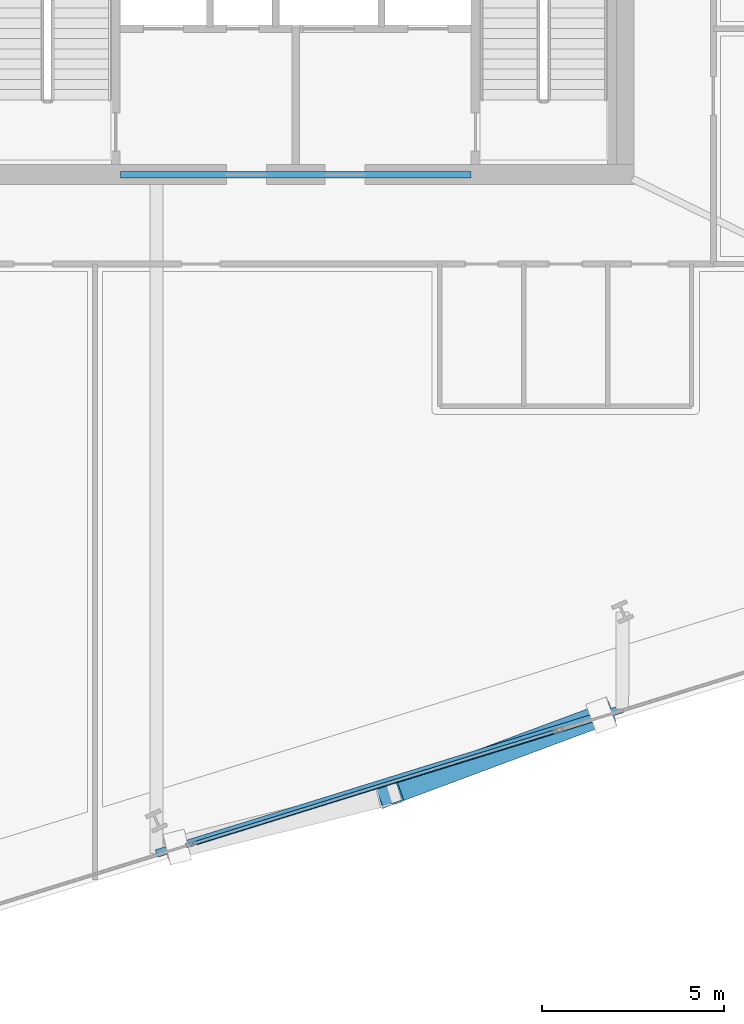
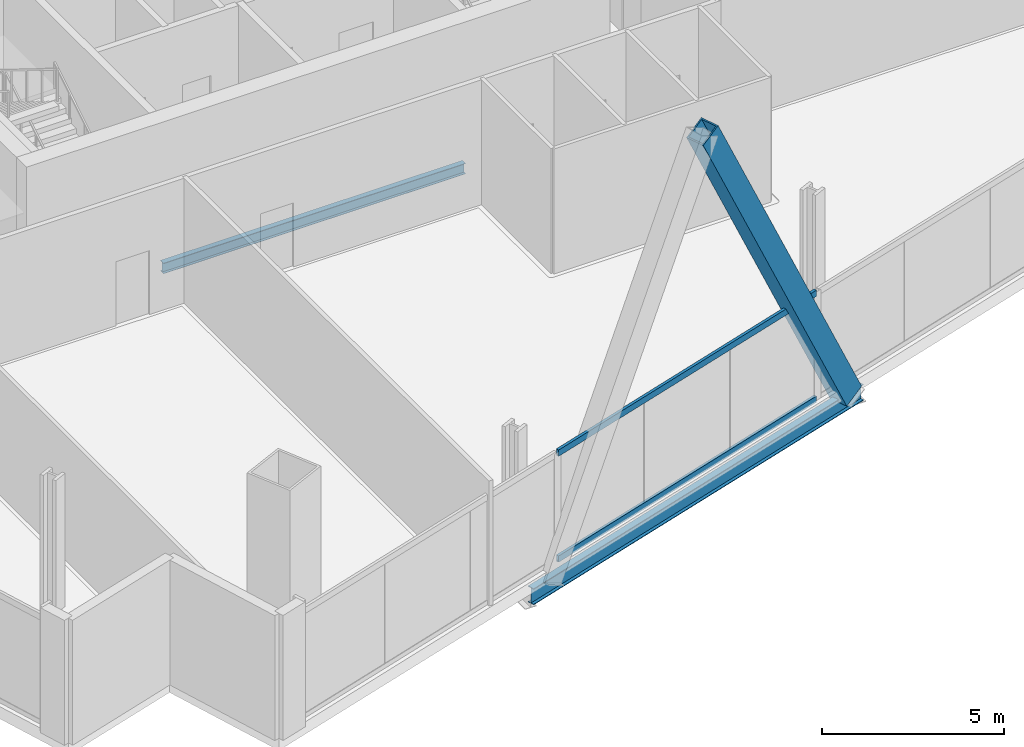
# One storey, part 5 of 26: 3 members, 2 beams, 1 element without a shape of its own.
"""IFC4 building model written with IfcOpenShell, lengths in metres."""

import ifcopenshell
import ifcopenshell.guid

model = None  # the IFC model being written
_history = None  # IfcOwnerHistory: only IFC2X3 demands one
_inside = {}  # id of a spatial element -> (the spatial element, [elements in it])
_under = {}  # id of a project, library or spatial element -> (it, [spatial elements below it])
_declared = {}  # id of a project -> (the project, [libraries it declares])
_typed = {}  # id of a type object -> (the type object, [elements of that type])
_made_of = {}  # id of a material, layer set ... -> (it, [elements and type objects made of it])


def new_model(schema):
    """Start an empty IFC model of exactly this schema.

    Asked for "IFC4X3", IfcOpenShell would pick the latest addendum, in which some entities
    have other attributes; the version numbers below select the first issue.
    IFC2X3 requires an IfcOwnerHistory on every rooted entity: one is made here for all.
    """
    global model, _history
    if schema == "IFC4X3":
        model = ifcopenshell.file(schema_version=(4, 3, 0, 0))
    else:
        model = ifcopenshell.file(schema=schema)
    _inside.clear()
    _under.clear()
    _declared.clear()
    _typed.clear()
    _made_of.clear()
    _history = None
    if model.schema == "IFC2X3":
        org = make("IfcOrganization", Name="unknown")
        user = make(
            "IfcPersonAndOrganization",
            ThePerson=make("IfcPerson", FamilyName="unknown"),
            TheOrganization=org,
        )
        app = make(
            "IfcApplication",
            ApplicationDeveloper=org,
            Version="unknown",
            ApplicationFullName="unknown",
            ApplicationIdentifier="unknown",
        )
        _history = make(
            "IfcOwnerHistory",
            OwningUser=user,
            OwningApplication=app,
            ChangeAction="ADDED",
            CreationDate=0,
        )
    return model


def make(cls, **values):
    """One entity of the class cls with the attributes given. An attribute that is None is left unset."""
    return model.create_entity(
        cls, **{name: value for name, value in values.items() if value is not None}
    )


def rooted(cls, **values):
    """An entity with a GlobalId (a new one), such as an element, a storey or a relation."""
    return make(cls, GlobalId=ifcopenshell.guid.new(), OwnerHistory=_history, **values)


def si_unit(unit_type, name, prefix=None):
    """IfcSIUnit, for example si_unit("LENGTHUNIT", "METRE", prefix="MILLI")."""
    return make("IfcSIUnit", UnitType=unit_type, Prefix=prefix, Name=name)


def assignment(units):
    """IfcUnitAssignment: the units of a project."""
    return None if units is None else make("IfcUnitAssignment", Units=units)


def point(xyz):
    """IfcCartesianPoint."""
    return None if xyz is None else make("IfcCartesianPoint", Coordinates=xyz)


def direction(xyz):
    """IfcDirection."""
    return None if xyz is None else make("IfcDirection", DirectionRatios=xyz)


def frame(location, z_axis=None, x_axis=None):
    """IfcAxis2Placement3D, a coordinate frame: its origin and axes. An axis left out is left unset."""
    return make(
        "IfcAxis2Placement3D",
        Location=point(location),
        Axis=direction(z_axis),
        RefDirection=direction(x_axis),
    )


def frame_2d(location, x_axis=None):
    """IfcAxis2Placement2D, a coordinate frame in the plane: its origin and x axis."""
    return make(
        "IfcAxis2Placement2D", Location=point(location), RefDirection=direction(x_axis)
    )


def origin():
    """The frame at (0, 0, 0) with its axes left unset."""
    return frame((0.0, 0.0, 0.0))


def origin_2d():
    """The frame at (0, 0) in the plane with its x axis left unset."""
    return frame_2d((0.0, 0.0))


def place(relative_to, where):
    """IfcLocalPlacement: puts the frame where relative to a parent placement (None: the world)."""
    return make(
        "IfcLocalPlacement", PlacementRelTo=relative_to, RelativePlacement=where
    )


def context(
    kind, dimensions, precision=None, world=None, true_north=None, identifier=None
):
    """IfcGeometricRepresentationContext, for example the 3D "Model" context."""
    return make(
        "IfcGeometricRepresentationContext",
        ContextIdentifier=identifier,
        ContextType=kind,
        CoordinateSpaceDimension=dimensions,
        Precision=precision,
        WorldCoordinateSystem=world,
        TrueNorth=true_north,
    )


def subcontext(parent, identifier, kind, view, scale=None):
    """IfcGeometricRepresentationSubContext, for example "Body" below "Model"."""
    return make(
        "IfcGeometricRepresentationSubContext",
        ContextIdentifier=identifier,
        ContextType=kind,
        ParentContext=parent,
        TargetScale=scale,
        TargetView=view,
    )


def project(units=None, contexts=None):
    """IfcProject with its units and contexts."""
    return rooted(
        "IfcProject",
        Name="project",
        RepresentationContexts=contexts,
        UnitsInContext=assignment(units),
    )


def spatial(cls, under=None, at=None, **own):
    """A site, building, storey or space (cls), placed at a placement, below another one or the project."""
    s = rooted(cls, ObjectPlacement=at, **own)
    if under is not None:
        _under.setdefault(under.id(), (under, []))[1].append(s)
    return s


def profile(cls, at=None, kind="AREA", **sizes):
    """A parametric profile (cls). Its sizes go by their IFC names, for example OverallWidth=200.0."""
    return make(cls, ProfileType=kind, Position=at, **sizes)


def hollow_rectangle(**sizes):
    """IfcRectangleHollowProfileDef."""
    return profile("IfcRectangleHollowProfileDef", **sizes)


def i_section(**sizes):
    """IfcIShapeProfileDef."""
    return profile("IfcIShapeProfileDef", **sizes)


def extrude(swept, where, along, depth):
    """IfcExtrudedAreaSolid: the profile swept, set in the frame where, extruded along a direction by depth."""
    return make(
        "IfcExtrudedAreaSolid",
        SweptArea=swept,
        Position=where,
        ExtrudedDirection=direction(along),
        Depth=depth,
    )


def shape(context_of_items, identifier, shape_type, items):
    """IfcShapeRepresentation: the items that make up one representation, for example the "Body"."""
    return make(
        "IfcShapeRepresentation",
        ContextOfItems=context_of_items,
        RepresentationIdentifier=identifier,
        RepresentationType=shape_type,
        Items=items,
    )


def material(Name=None, Category=None):
    """IfcMaterial."""
    return make("IfcMaterial", Name=Name, Category=Category)


def material_profile(
    of_material, cross_section, Name=None, Category=None, Priority=None
):
    """IfcMaterialProfile: a cross section and its material."""
    return make(
        "IfcMaterialProfile",
        Name=Name,
        Material=of_material,
        Profile=cross_section,
        Priority=Priority,
        Category=Category,
    )


def profile_set(profiles, Name=None, composite=None):
    """IfcMaterialProfileSet."""
    return make(
        "IfcMaterialProfileSet",
        Name=Name,
        MaterialProfiles=profiles,
        CompositeProfile=composite,
    )


def made_of(thing, what):
    """Note that an element or type object is made of a material, layer set ...; save() writes the relation."""
    if what is not None:
        _made_of.setdefault(what.id(), (what, []))[1].append(thing)
    return thing


def type_object(cls, material=None, **own):
    """A type object (cls), such as IfcWallType, which elements share."""
    return made_of(rooted(cls, **own), material)


def element(
    cls,
    number,
    at=None,
    inside=None,
    cuts=None,
    type_object=None,
    material=None,
    context=None,
    identifier="Body",
    shape_type=None,
    held_by="IfcProductDefinitionShape",
    body=None,
    shapes=None,
    **own,
):
    """One element of the class cls, such as IfcWall. Its Tag is "e" and its number.

    at: its placement. inside: the storey or other place that contains it. cuts: it is an
    opening in that element (IfcRelVoidsElement). A single representation is given by context,
    identifier, shape_type and body (its items); several are given by shapes. held_by: the class
    of the entity that holds the representations. save() writes the other relations.
    """
    e = rooted(cls, Tag="e%d" % number, ObjectPlacement=at, **own)
    if body is not None:
        shapes = [shape(context, identifier, shape_type, body)]
    if shapes is not None:
        e.Representation = make(held_by, Representations=shapes)
    if inside is not None:
        _inside.setdefault(inside.id(), (inside, []))[1].append(e)
    if cuts is not None:
        rooted(
            "IfcRelVoidsElement", RelatingBuildingElement=cuts, RelatedOpeningElement=e
        )
    if type_object is not None:
        _typed.setdefault(type_object.id(), (type_object, []))[1].append(e)
    return made_of(e, material)


def aggregate(whole, parts):
    """IfcRelAggregates: a whole, such as a stair, and the parts it consists of."""
    return rooted("IfcRelAggregates", RelatingObject=whole, RelatedObjects=parts)


def save(model, path):
    """Write the relations noted so far, then the file.

    IfcRelAggregates (storeys below a building ...), IfcRelContainedInSpatialStructure (elements
    in a storey), IfcRelDefinesByType, IfcRelAssociatesMaterial and IfcRelDeclares: one each for
    every whole, place, type object, material and project.
    """
    for whole, parts in _under.values():
        aggregate(whole, parts)
    for where, things in _inside.values():
        rooted(
            "IfcRelContainedInSpatialStructure",
            RelatedElements=things,
            RelatingStructure=where,
        )
    for kind, things in _typed.values():
        rooted("IfcRelDefinesByType", RelatedObjects=things, RelatingType=kind)
    for what, things in _made_of.values():
        rooted("IfcRelAssociatesMaterial", RelatedObjects=things, RelatingMaterial=what)
    for by, libraries in _declared.values():
        rooted("IfcRelDeclares", RelatingContext=by, RelatedDefinitions=libraries)
    model.write(path)


model = new_model("IFC4")

# Units and contexts
model_context = context("Model", 3, precision=1e-05, world=origin(), true_north=direction((0.0, 1.0)))
body_context = subcontext(model_context, "Body", "Model", "MODEL_VIEW")
ifc_project = project(units=[si_unit("LENGTHUNIT", "METRE"), si_unit("AREAUNIT", "SQUARE_METRE"), si_unit("VOLUMEUNIT", "CUBIC_METRE"), si_unit("PLANEANGLEUNIT", "RADIAN"), si_unit("MASSUNIT", "GRAM", prefix="KILO")], contexts=[model_context])

# Site, building, storey
site_placement = place(None, origin())
site = spatial("IfcSite", under=ifc_project, at=site_placement, CompositionType="ELEMENT")
building_placement = place(site_placement, origin())
building = spatial("IfcBuilding", under=site, at=building_placement, Name="Haldenkirk Collegiate Tower", CompositionType="ELEMENT")
storey_placement = place(building_placement, frame((0.0, 0.0, 85.949951171875)))
storey = spatial("IfcBuildingStorey", under=building, at=storey_placement, Name="L20", CompositionType="ELEMENT", Elevation=85.949951171875)

# Beams
ifc_material_1 = material(Name="Steel ASTM A992 Grade 50", Category="steel")
ifc_material_profile_1 = material_profile(ifc_material_1, i_section(OverallWidth=0.1708984375, OverallDepth=0.35595703125, WebThickness=0.007080078125, FlangeThickness=0.01171875, at=origin_2d()), Name="W14X34")
ifc_profile_set_1 = profile_set([ifc_material_profile_1], Name="Steel ASTM A992 Grade 50")
beam_type_1 = type_object("IfcBeamType", Name="BM-LINTEL-W14X34", PredefinedType="LINTEL", material=ifc_profile_set_1)
beam_1_placement = place(storey_placement, frame((31.199951171875, 18.0, -0.587890625), z_axis=(1.0, 0.0, 0.0), x_axis=(0.0, 1.0, 0.0)))
element("IfcBeam", 1, at=beam_1_placement, inside=storey, type_object=beam_type_1, Name="L20 south core coupling lintel", PredefinedType="LINTEL", context=body_context, shape_type="SweptSolid", body=[
    extrude(i_section(OverallWidth=0.1708984375, OverallDepth=0.35595703125, WebThickness=0.007080078125, FlangeThickness=0.01171875, at=origin_2d()), origin(), (0.0, 0.0, 1.0), 9.60009765625),
])
ifc_material_profile_2 = material_profile(ifc_material_1, i_section(OverallWidth=0.2119140625, OverallDepth=0.5439453125, WebThickness=0.01318359375, FlangeThickness=0.021240234375, at=origin_2d()), Name="W21X83")
ifc_profile_set_2 = profile_set([ifc_material_profile_2], Name="Steel ASTM A992 Grade 50")
beam_type_2 = type_object("IfcBeamType", Name="BM-SPANDREL-W21X83", PredefinedType="SPANDREL", material=ifc_profile_set_2)
beam_2_placement = place(storey_placement, frame((32.181396484375, -0.609130859375, -0.681884765625), z_axis=(0.955024203684, 0.296527857675, 0.0), x_axis=(-0.296527857675, 0.955024203684, 0.0)))
element("IfcBeam", 2, at=beam_2_placement, inside=storey, type_object=beam_type_2, Name="L20 outer facade edge beam 1", PredefinedType="SPANDREL", context=body_context, shape_type="SweptSolid", body=[
    extrude(i_section(OverallWidth=0.2119140625, OverallDepth=0.5439453125, WebThickness=0.01318359375, FlangeThickness=0.021240234375, at=origin_2d()), origin(), (0.0, 0.0, 1.0), 13.370849609375),
])

# Curtain wall, members
ifc_material_2 = material(Name="Anodised architectural bronze aluminium", Category="aluminium")
curtain_wall_type = type_object("IfcCurtainWallType", Name="CW-SYS4-SKYGARDEN", PredefinedType="USERDEFINED", material=ifc_material_2)
curtain_wall_placement = place(storey_placement, origin())
curtain_wall = element("IfcCurtainWall", 3, at=curtain_wall_placement, inside=storey, type_object=curtain_wall_type, Name="L20 Sky-garden tall bronze curtain wall", ObjectType="UNITISED CURTAIN WALL", PredefinedType="USERDEFINED")
ifc_material_profile_3 = material_profile(ifc_material_2, hollow_rectangle(XDim=0.090087890625, YDim=0.2099609375, WallThickness=0.0048828125, at=origin_2d()), Name="CW-TRN-04")
ifc_profile_set_3 = profile_set([ifc_material_profile_3], Name="Anodised architectural bronze aluminium")
member_type_1 = type_object("IfcMemberType", Name="CW-TRN-04", PredefinedType="USERDEFINED", material=ifc_profile_set_3)
member_1_placement = place(storey_placement, frame((43.1689453125, 2.760498046875, 0.045166015625), z_axis=(-0.955020382089, -0.296540165566, 0.0), x_axis=(0.296540165566, -0.955020382089, 0.0)))
member_1 = element("IfcMember", 4, at=member_1_placement, type_object=member_type_1, Name="CW-04 transom 3.1", ObjectType="TRANSOM", PredefinedType="USERDEFINED", context=body_context, shape_type="SweptSolid", body=[
    extrude(hollow_rectangle(XDim=0.090087890625, YDim=0.2099609375, WallThickness=0.0048828125, at=origin_2d()), origin(), (0.0, 0.0, 1.0), 10.4599609375),
])
member_2_placement = place(storey_placement, frame((43.1689453125, 2.760498046875, 3.60595703125), z_axis=(-0.955020382089, -0.296540165566, 0.0), x_axis=(0.296540165566, -0.955020382089, 0.0)))
member_2 = element("IfcMember", 5, at=member_2_placement, type_object=member_type_1, Name="CW-04 transom 3.2", ObjectType="TRANSOM", PredefinedType="USERDEFINED", context=body_context, shape_type="SweptSolid", body=[
    extrude(hollow_rectangle(XDim=0.090087890625, YDim=0.2099609375, WallThickness=0.0048828125, at=origin_2d()), origin(), (0.0, 0.0, 1.0), 10.4599609375),
])
aggregate(curtain_wall, [member_1, member_2])

# Member
ifc_material_3 = material(Name="Steel ASTM A572 Grade 50", Category="steel")
ifc_material_profile_4 = material_profile(ifc_material_3, hollow_rectangle(XDim=0.60009765625, YDim=0.719970703125, WallThickness=0.044921875, at=origin_2d()), Name="BOX720X600X45")
ifc_profile_set_4 = profile_set([ifc_material_profile_4], Name="Steel ASTM A572 Grade 50")
member_type_2 = type_object("IfcMemberType", Name="MBR-MEGABRACE-BOX720X600X45", PredefinedType="BRACE", material=ifc_profile_set_4)
member_3_placement = place(storey_placement, frame((44.3779296875, 3.177978515625, -0.419921875), z_axis=(-0.427150841994, -0.159042090094, 0.890083013972), x_axis=(0.348930738199, -0.937148515412, 0.0)))
element("IfcMember", 6, at=member_3_placement, inside=storey, type_object=member_type_2, Name="Perimeter Mega Brace Z2 L20-L22 SR", PredefinedType="BRACE", context=body_context, shape_type="SweptSolid", body=[
    extrude(hollow_rectangle(XDim=0.60009765625, YDim=0.719970703125, WallThickness=0.044921875, at=origin_2d()), origin(), (0.0, 0.0, 1.0), 13.605224609375),
])

save(model, "model.ifc")
